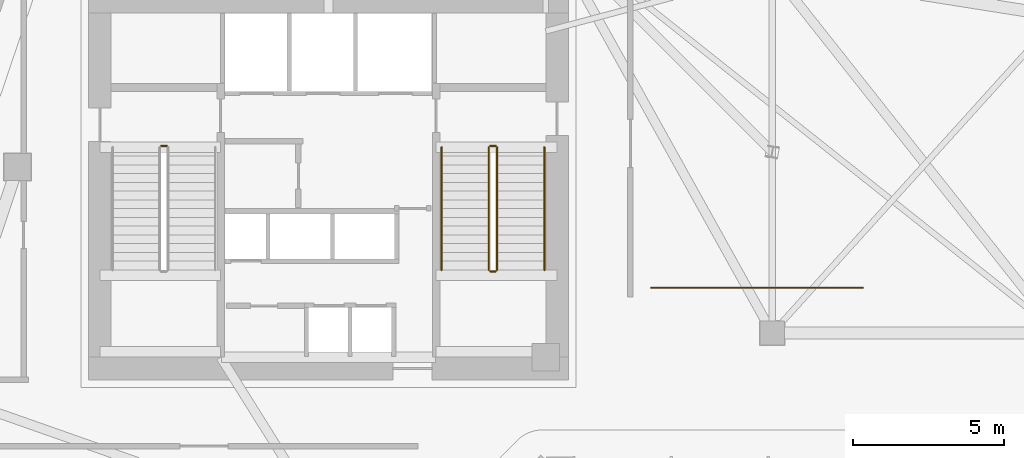
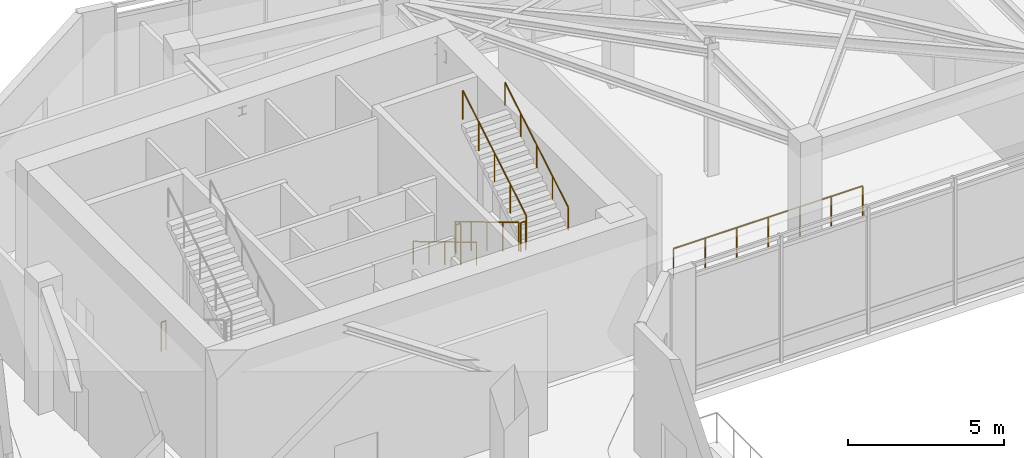
# One storey, part 9 of 9: 8 railings.
"""IFC4 building model written with IfcOpenShell, lengths in metres."""

from ifc_helpers import new_model, si_unit, direction, frame, origin, origin_2d, place, context, subcontext, project, spatial, circle, extrude, material, type_object, element, save


model = new_model("IFC4")

# Units and contexts
model_context = context("Model", 3, precision=1e-05, world=origin(), true_north=direction((0.0, 1.0)))
body_context = subcontext(model_context, "Body", "Model", "MODEL_VIEW")
ifc_project = project(units=[si_unit("LENGTHUNIT", "METRE"), si_unit("AREAUNIT", "SQUARE_METRE"), si_unit("VOLUMEUNIT", "CUBIC_METRE"), si_unit("PLANEANGLEUNIT", "RADIAN"), si_unit("MASSUNIT", "GRAM", prefix="KILO")], contexts=[model_context])

# Site, building, storey
site_placement = place(None, origin())
site = spatial("IfcSite", under=ifc_project, at=site_placement, CompositionType="ELEMENT")
building_placement = place(site_placement, origin())
building = spatial("IfcBuilding", under=site, at=building_placement, Name="Calvemar Wedge Station Tower", CompositionType="ELEMENT")
storey_placement = place(building_placement, frame((0.0, 0.0, 105.39990234375)))
storey = spatial("IfcBuildingStorey", under=building, at=storey_placement, Name="L25", CompositionType="ELEMENT", Elevation=105.39990234375)

# Railings
ifc_material_1 = material(Name="Anodised aluminium 6063-T6", Category="aluminium")
railing_type_1 = type_object("IfcRailingType", Name="RL-BALUSTRADE-1200", PredefinedType="BALUSTRADE", material=ifc_material_1)
railing_1_placement = place(storey_placement, frame((34.5, 36.5, 0.0)))
element("IfcRailing", 1, at=railing_1_placement, inside=storey, type_object=railing_type_1, Name="Storey L25 Glazed Feature Balustrade 7", PredefinedType="BALUSTRADE", context=body_context, shape_type="SweptSolid", body=[
    extrude(circle(Radius=0.02392578125, at=origin_2d()), frame((0.0, 0.0, 1.17578125), z_axis=(1.0, 0.0, 0.0), x_axis=(0.0, 1.0, 0.0)), (0.0, 0.0, 1.0), 7.0),
    extrude(circle(Radius=0.02099609375, at=origin_2d()), origin(), (0.0, 0.0, 1.0), 1.15185546875),
    extrude(circle(Radius=0.02099609375, at=origin_2d()), frame((1.166748046875, 0.0, 0.0)), (0.0, 0.0, 1.0), 1.15185546875),
    extrude(circle(Radius=0.02099609375, at=origin_2d()), frame((2.333251953125, 0.0, 0.0)), (0.0, 0.0, 1.0), 1.15185546875),
    extrude(circle(Radius=0.02099609375, at=origin_2d()), frame((3.5, 0.0, 0.0)), (0.0, 0.0, 1.0), 1.15185546875),
    extrude(circle(Radius=0.02099609375, at=origin_2d()), frame((4.666748046875, 0.0, 0.0)), (0.0, 0.0, 1.0), 1.15185546875),
    extrude(circle(Radius=0.02099609375, at=origin_2d()), frame((5.833251953125, 0.0, 0.0)), (0.0, 0.0, 1.0), 1.15185546875),
    extrude(circle(Radius=0.02099609375, at=origin_2d()), frame((7.0, 0.0, 0.0)), (0.0, 0.0, 1.0), 1.15185546875),
])
ifc_material_2 = material(Name="Stainless steel AISI 316L", Category="steel")
railing_type_2 = type_object("IfcRailingType", Name="RL-HANDRAIL-920", PredefinedType="HANDRAIL", material=ifc_material_2)
railing_2_placement = place(storey_placement, frame((27.550048828125, 41.14990234375, 0.17333984375)))
element("IfcRailing", 2, at=railing_2_placement, inside=storey, type_object=railing_type_2, Name="L25 ST-C2 stair handrail 1", PredefinedType="HANDRAIL", context=body_context, shape_type="SweptSolid", body=[
    extrude(circle(Radius=0.02392578125, at=origin_2d()), frame((0.0, 0.0, 0.89599609375), z_axis=(0.0, -0.858343435637, 0.513075575815), x_axis=(1.0, 0.0, 0.0)), (0.0, 0.0, 1.0), 4.729736328125),
    extrude(circle(Radius=0.02099609375, at=origin_2d()), origin(), (0.0, 0.0, 1.0), 0.871826171875),
    extrude(circle(Radius=0.02099609375, at=origin_2d()), frame((0.0, -1.014892578125, 0.606689453125)), (0.0, 0.0, 1.0), 0.871826171875),
    extrude(circle(Radius=0.02099609375, at=origin_2d()), frame((0.0, -2.02978515625, 1.21337890625)), (0.0, 0.0, 1.0), 0.871826171875),
    extrude(circle(Radius=0.02099609375, at=origin_2d()), frame((0.0, -3.044921875, 1.820068359375)), (0.0, 0.0, 1.0), 0.871826171875),
    extrude(circle(Radius=0.02099609375, at=origin_2d()), frame((0.0, -4.059814453125, 2.4267578125)), (0.0, 0.0, 1.0), 0.871826171875),
])
railing_3_placement = place(storey_placement, frame((30.949951171875, 37.090087890625, 2.7734375)))
element("IfcRailing", 3, at=railing_3_placement, inside=storey, type_object=railing_type_2, Name="L25 ST-C2 stair handrail 2", PredefinedType="HANDRAIL", context=body_context, shape_type="SweptSolid", body=[
    extrude(circle(Radius=0.02392578125, at=origin_2d()), frame((0.0, 0.0, 0.89599609375), z_axis=(0.0, 0.858343435637, 0.513075575815), x_axis=(-1.0, 0.0, 0.0)), (0.0, 0.0, 1.0), 4.729736328125),
    extrude(circle(Radius=0.02099609375, at=origin_2d()), origin(), (0.0, 0.0, 1.0), 0.871826171875),
    extrude(circle(Radius=0.02099609375, at=origin_2d()), frame((0.0, 1.014892578125, 0.606689453125)), (0.0, 0.0, 1.0), 0.871826171875),
    extrude(circle(Radius=0.02099609375, at=origin_2d()), frame((0.0, 2.02978515625, 1.21337890625)), (0.0, 0.0, 1.0), 0.871826171875),
    extrude(circle(Radius=0.02099609375, at=origin_2d()), frame((0.0, 3.044921875, 1.820068359375)), (0.0, 0.0, 1.0), 0.871826171875),
    extrude(circle(Radius=0.02099609375, at=origin_2d()), frame((0.0, 4.059814453125, 2.4267578125)), (0.0, 0.0, 1.0), 0.871826171875),
])
ifc_material_3 = material(Name="Painted steel guardrail ASTM A500 Grade C", Category="steel")
railing_type_3 = type_object("IfcRailingType", Name="RL-STAIR-GUARD-1150", PredefinedType="GUARDRAIL", material=ifc_material_3)
railing_4_placement = place(storey_placement, frame((18.260009765625, 41.199951171875, 0.0)))
element("IfcRailing", 4, at=railing_4_placement, inside=storey, type_object=railing_type_3, Name="L25 ST-C1 stair guard 4", PredefinedType="GUARDRAIL", context=body_context, shape_type="SweptSolid", body=[
    extrude(circle(Radius=0.02392578125, at=origin_2d()), frame((0.0, 0.0, 1.1259765625), z_axis=(1.0, 0.0, 0.0), x_axis=(0.0, 1.0, 0.0)), (0.0, 0.0, 1.0), 0.179931640625),
    extrude(circle(Radius=0.02099609375, at=origin_2d()), origin(), (0.0, 0.0, 1.0), 1.101806640625),
    extrude(circle(Radius=0.02099609375, at=origin_2d()), frame((0.179931640625, 0.0, 0.0)), (0.0, 0.0, 1.0), 1.101806640625),
])
railing_5_placement = place(storey_placement, frame((29.110107421875, 41.14990234375, 0.17333984375)))
element("IfcRailing", 5, at=railing_5_placement, inside=storey, type_object=railing_type_3, Name="L25 ST-C2 stair guard 1", PredefinedType="GUARDRAIL", context=body_context, shape_type="SweptSolid", body=[
    extrude(circle(Radius=0.02392578125, at=origin_2d()), frame((0.0, 0.0, 1.1259765625), z_axis=(0.0, -0.858343435637, 0.513075575815), x_axis=(1.0, 0.0, 0.0)), (0.0, 0.0, 1.0), 4.729736328125),
    extrude(circle(Radius=0.02099609375, at=origin_2d()), origin(), (0.0, 0.0, 1.0), 1.101806640625),
    extrude(circle(Radius=0.02099609375, at=origin_2d()), frame((0.0, -1.014892578125, 0.606689453125)), (0.0, 0.0, 1.0), 1.101806640625),
    extrude(circle(Radius=0.02099609375, at=origin_2d()), frame((0.0, -2.02978515625, 1.21337890625)), (0.0, 0.0, 1.0), 1.101806640625),
    extrude(circle(Radius=0.02099609375, at=origin_2d()), frame((0.0, -3.044921875, 1.820068359375)), (0.0, 0.0, 1.0), 1.101806640625),
    extrude(circle(Radius=0.02099609375, at=origin_2d()), frame((0.0, -4.059814453125, 2.4267578125)), (0.0, 0.0, 1.0), 1.101806640625),
])
railing_6_placement = place(storey_placement, frame((29.159912109375, 37.0400390625, 2.60009765625)))
element("IfcRailing", 6, at=railing_6_placement, inside=storey, type_object=railing_type_3, Name="L25 ST-C2 stair guard 2", PredefinedType="GUARDRAIL", context=body_context, shape_type="SweptSolid", body=[
    extrude(circle(Radius=0.02392578125, at=origin_2d()), frame((0.0, 0.0, 1.1259765625), z_axis=(1.0, 0.0, 0.0), x_axis=(0.0, 1.0, 0.0)), (0.0, 0.0, 1.0), 0.18017578125),
    extrude(circle(Radius=0.02099609375, at=origin_2d()), origin(), (0.0, 0.0, 1.0), 1.101806640625),
    extrude(circle(Radius=0.02099609375, at=origin_2d()), frame((0.18017578125, 0.0, 0.0)), (0.0, 0.0, 1.0), 1.101806640625),
])
railing_7_placement = place(storey_placement, frame((29.389892578125, 37.090087890625, 2.7734375)))
element("IfcRailing", 7, at=railing_7_placement, inside=storey, type_object=railing_type_3, Name="L25 ST-C2 stair guard 3", PredefinedType="GUARDRAIL", context=body_context, shape_type="SweptSolid", body=[
    extrude(circle(Radius=0.02392578125, at=origin_2d()), frame((0.0, 0.0, 1.1259765625), z_axis=(0.0, 0.858343435637, 0.513075575815), x_axis=(-1.0, 0.0, 0.0)), (0.0, 0.0, 1.0), 4.729736328125),
    extrude(circle(Radius=0.02099609375, at=origin_2d()), origin(), (0.0, 0.0, 1.0), 1.101806640625),
    extrude(circle(Radius=0.02099609375, at=origin_2d()), frame((0.0, 1.014892578125, 0.606689453125)), (0.0, 0.0, 1.0), 1.101806640625),
    extrude(circle(Radius=0.02099609375, at=origin_2d()), frame((0.0, 2.02978515625, 1.21337890625)), (0.0, 0.0, 1.0), 1.101806640625),
    extrude(circle(Radius=0.02099609375, at=origin_2d()), frame((0.0, 3.044921875, 1.820068359375)), (0.0, 0.0, 1.0), 1.101806640625),
    extrude(circle(Radius=0.02099609375, at=origin_2d()), frame((0.0, 4.059814453125, 2.4267578125)), (0.0, 0.0, 1.0), 1.101806640625),
])
railing_8_placement = place(storey_placement, frame((29.159912109375, 41.199951171875, 0.0)))
element("IfcRailing", 8, at=railing_8_placement, inside=storey, type_object=railing_type_3, Name="L25 ST-C2 stair guard 4", PredefinedType="GUARDRAIL", context=body_context, shape_type="SweptSolid", body=[
    extrude(circle(Radius=0.02392578125, at=origin_2d()), frame((0.0, 0.0, 1.1259765625), z_axis=(1.0, 0.0, 0.0), x_axis=(0.0, 1.0, 0.0)), (0.0, 0.0, 1.0), 0.18017578125),
    extrude(circle(Radius=0.02099609375, at=origin_2d()), origin(), (0.0, 0.0, 1.0), 1.101806640625),
    extrude(circle(Radius=0.02099609375, at=origin_2d()), frame((0.18017578125, 0.0, 0.0)), (0.0, 0.0, 1.0), 1.101806640625),
])

save(model, "model.ifc")
